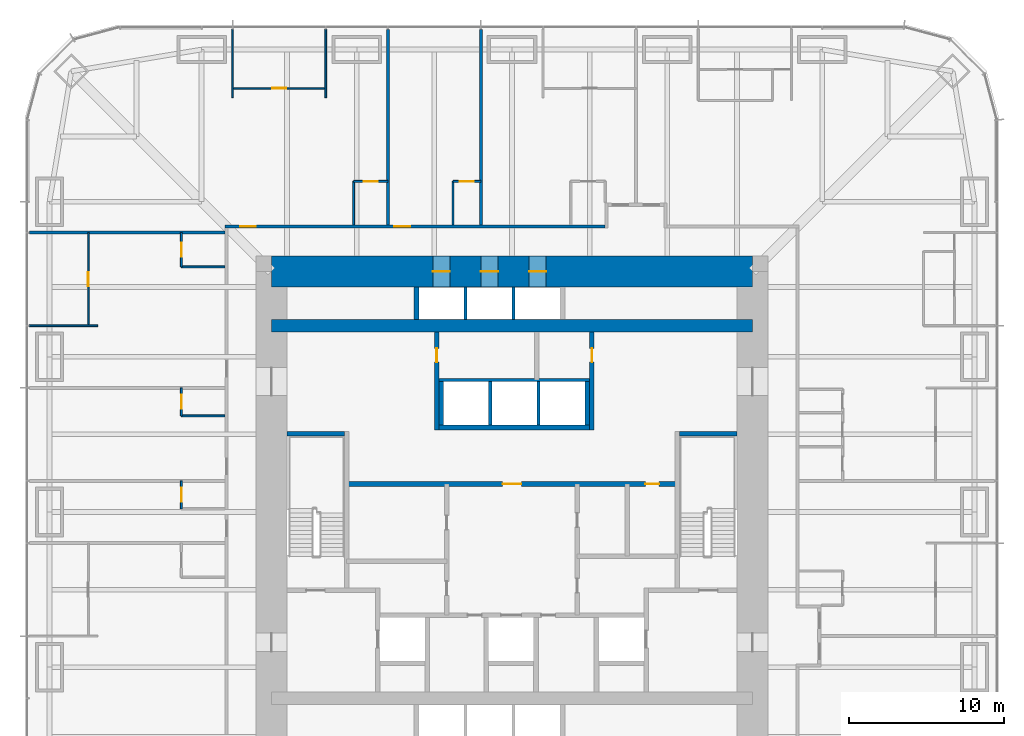
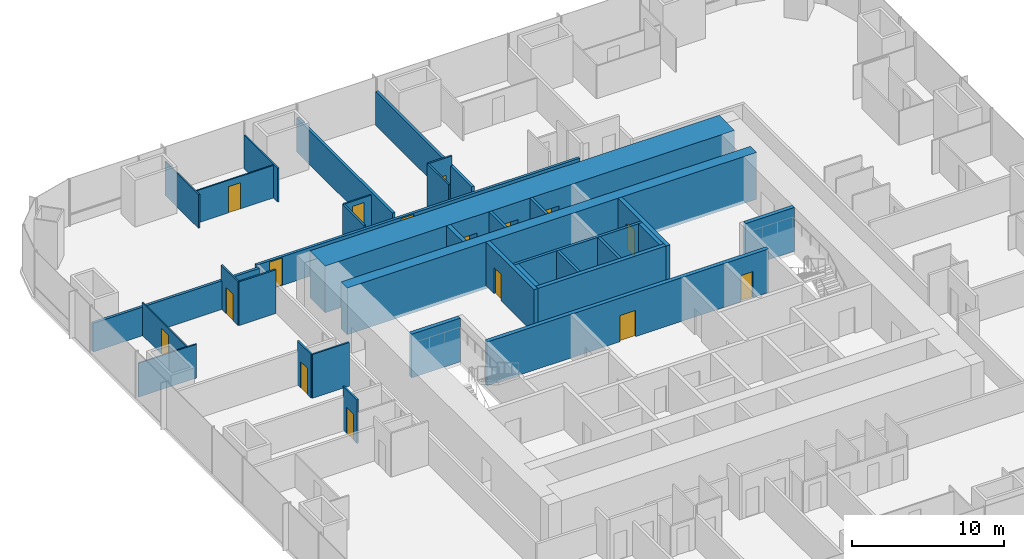
# One storey, part 14 of 16: 34 walls, 16 doors, 16 openings.
"""IFC4 building model written with IfcOpenShell, lengths in metres."""

from ifc_helpers import new_model, si_unit, direction, frame, frame_2d, origin, place, context, subcontext, project, spatial, rectangle, extrude, material, layer, layer_set, type_object, element, fill, save


model = new_model("IFC4")

# Units and contexts
model_context = context("Model", 3, precision=1e-05, world=origin(), true_north=direction((0.0, 1.0)))
body_context = subcontext(model_context, "Body", "Model", "MODEL_VIEW")
ifc_project = project(units=[si_unit("LENGTHUNIT", "METRE"), si_unit("AREAUNIT", "SQUARE_METRE"), si_unit("VOLUMEUNIT", "CUBIC_METRE"), si_unit("PLANEANGLEUNIT", "RADIAN"), si_unit("MASSUNIT", "GRAM", prefix="KILO")], contexts=[model_context])

# Site, building, storey
site_placement = place(None, origin())
site = spatial("IfcSite", under=ifc_project, at=site_placement, CompositionType="ELEMENT")
building_placement = place(site_placement, origin())
building = spatial("IfcBuilding", under=site, at=building_placement, Name="Khuree Lantern Residences", CompositionType="ELEMENT")
storey_placement = place(building_placement, frame((0.0, 0.0, 66.0)))
storey = spatial("IfcBuildingStorey", under=building, at=storey_placement, Name="L16", CompositionType="ELEMENT", Elevation=66.0)

# Wall, opening, door
ifc_material_1 = material(Name="Moisture-resistant gypsum board on steel studs", Category="steel")
ifc_layer_1 = layer(ifc_material_1, 0.125)
ifc_layer_set_1 = layer_set([ifc_layer_1], Name="BATHROOM WALL BTW125")
wall_type_1 = type_object("IfcWallType", Name="BATHROOM WALL BTW125", PredefinedType="PARTITIONING", material=ifc_layer_set_1)
wall_1_placement = place(storey_placement, frame((-2.0, 21.300048828125, 0.0), z_axis=(0.0, 0.0, 1.0), x_axis=(-1.0, 0.0, 0.0)))
wall_1 = element("IfcWall", 1, at=wall_1_placement, inside=storey, type_object=wall_type_1, Name="L16 BATHROOM WALL 04", PredefinedType="PARTITIONING", context=body_context, shape_type="SweptSolid", body=[
    extrude(rectangle(XDim=1.800048828125, YDim=0.125, at=frame_2d((0.89990234375, 0.0))), origin(), (0.0, 0.0, 1.0), 3.5),
])
opening_1_placement = place(wall_1_placement, frame((0.449951171875, 0.0, 0.0)))
opening_1 = element("IfcOpeningElement", 2, at=opening_1_placement, cuts=wall_1, Name="Opening 16-038", PredefinedType="OPENING", context=body_context, shape_type="SweptSolid", body=[
    extrude(rectangle(XDim=0.89990234375, YDim=2.10009765625, at=frame_2d((0.449951171875, 1.050048828125))), frame((0.0, 0.072509765625, 0.0), z_axis=(0.0, -1.0, 0.0), x_axis=(1.0, 0.0, 0.0)), (0.0, 0.0, 1.0), 0.14501953125),
])
ifc_material_2 = material(Name="Timber door leaf in hardwood frame", Category="wood")
door_type_1 = type_object("IfcDoorType", Name="BATHROOM DOOR 900X2100", OperationType="SINGLE_SWING_LEFT", PredefinedType="DOOR", material=ifc_material_2)
door_1_placement = place(opening_1_placement, origin())
door_1 = element("IfcDoor", 3, at=door_1_placement, inside=storey, type_object=door_type_1, Name="Bathroom door 16-038", OperationType="SINGLE_SWING_LEFT", OverallHeight=2.10009765625, OverallWidth=0.89990234375, PredefinedType="DOOR", context=body_context, shape_type="SweptSolid", body=[
    extrude(rectangle(XDim=0.89990234375, YDim=2.10009765625, at=frame_2d((0.449951171875, 1.050048828125))), frame((0.0, 0.02490234375, 0.0), z_axis=(0.0, -1.0, 0.0), x_axis=(1.0, 0.0, 0.0)), (0.0, 0.0, 1.0), 0.050048828125),
])
fill(opening_1, door_1)

# Wall
wall_2_placement = place(storey_placement, frame((-3.800048828125, 18.5, 0.0), z_axis=(0.0, 0.0, 1.0), x_axis=(0.0, 1.0, 0.0)))
element("IfcWall", 4, at=wall_2_placement, inside=storey, type_object=wall_type_1, Name="L16 BATHROOM WALL 04", PredefinedType="PARTITIONING", context=body_context, shape_type="SweptSolid", body=[
    extrude(rectangle(XDim=2.800048828125, YDim=0.125, at=frame_2d((1.39990234375, 0.0))), origin(), (0.0, 0.0, 1.0), 3.5),
])

# Wall, opening, door
wall_3_placement = place(storey_placement, frame((-8.0, 21.300048828125, 0.0), z_axis=(0.0, 0.0, 1.0), x_axis=(-1.0, 0.0, 0.0)))
wall_3 = element("IfcWall", 5, at=wall_3_placement, inside=storey, type_object=wall_type_1, Name="L16 BATHROOM WALL 05", PredefinedType="PARTITIONING", context=body_context, shape_type="SweptSolid", body=[
    extrude(rectangle(XDim=2.199951171875, YDim=0.125, at=frame_2d((1.10009765625, 0.0))), origin(), (0.0, 0.0, 1.0), 2.491943359375),
])
opening_2_placement = place(wall_3_placement, frame((0.64990234375, 0.0, 0.0)))
opening_2 = element("IfcOpeningElement", 6, at=opening_2_placement, cuts=wall_3, Name="Opening 16-041", PredefinedType="OPENING", context=body_context, shape_type="SweptSolid", body=[
    extrude(rectangle(XDim=0.89990234375, YDim=2.10009765625, at=frame_2d((0.449951171875, 1.050048828125))), frame((0.0, 0.072509765625, 0.0), z_axis=(0.0, -1.0, 0.0), x_axis=(1.0, 0.0, 0.0)), (0.0, 0.0, 1.0), 0.14501953125),
])
door_2_placement = place(opening_2_placement, origin())
door_2 = element("IfcDoor", 7, at=door_2_placement, inside=storey, type_object=door_type_1, Name="Bathroom door 16-041", OperationType="SINGLE_SWING_LEFT", OverallHeight=2.10009765625, OverallWidth=0.89990234375, PredefinedType="DOOR", context=body_context, shape_type="SweptSolid", body=[
    extrude(rectangle(XDim=0.89990234375, YDim=2.10009765625, at=frame_2d((0.449951171875, 1.050048828125))), frame((0.0, 0.02490234375, 0.0), z_axis=(0.0, -1.0, 0.0), x_axis=(1.0, 0.0, 0.0)), (0.0, 0.0, 1.0), 0.050048828125),
])
fill(opening_2, door_2)

# Wall
wall_4_placement = place(storey_placement, frame((-10.199951171875, 18.5, 0.0), z_axis=(0.0, 0.0, 1.0), x_axis=(0.0, 1.0, 0.0)))
element("IfcWall", 8, at=wall_4_placement, inside=storey, type_object=wall_type_1, Name="L16 BATHROOM WALL 05", PredefinedType="PARTITIONING", context=body_context, shape_type="SweptSolid", body=[
    extrude(rectangle(XDim=2.800048828125, YDim=0.125, at=frame_2d((1.39990234375, 0.0))), origin(), (0.0, 0.0, 1.0), 2.491943359375),
])

# Wall, opening, door
wall_5_placement = place(storey_placement, frame((-21.300048828125, 18.0, 0.0), z_axis=(0.0, 0.0, 1.0), x_axis=(0.0, -1.0, 0.0)))
wall_5 = element("IfcWall", 9, at=wall_5_placement, inside=storey, type_object=wall_type_1, Name="L16 BATHROOM WALL 06", PredefinedType="PARTITIONING", context=body_context, shape_type="SweptSolid", body=[
    extrude(rectangle(XDim=2.199951171875, YDim=0.125, at=frame_2d((1.10009765625, 0.0))), origin(), (0.0, 0.0, 1.0), 3.5),
])
opening_3_placement = place(wall_5_placement, frame((0.64990234375, 0.0, 0.0)))
opening_3 = element("IfcOpeningElement", 10, at=opening_3_placement, cuts=wall_5, Name="Opening 16-044", PredefinedType="OPENING", context=body_context, shape_type="SweptSolid", body=[
    extrude(rectangle(XDim=0.89990234375, YDim=2.10009765625, at=frame_2d((0.449951171875, 1.050048828125))), frame((0.0, 0.072509765625, 0.0), z_axis=(0.0, -1.0, 0.0), x_axis=(1.0, 0.0, 0.0)), (0.0, 0.0, 1.0), 0.14501953125),
])
door_3_placement = place(opening_3_placement, origin())
door_3 = element("IfcDoor", 11, at=door_3_placement, inside=storey, type_object=door_type_1, Name="Bathroom door 16-044", OperationType="SINGLE_SWING_LEFT", OverallHeight=2.10009765625, OverallWidth=0.89990234375, PredefinedType="DOOR", context=body_context, shape_type="SweptSolid", body=[
    extrude(rectangle(XDim=0.89990234375, YDim=2.10009765625, at=frame_2d((0.449951171875, 1.050048828125))), frame((0.0, 0.02490234375, 0.0), z_axis=(0.0, -1.0, 0.0), x_axis=(1.0, 0.0, 0.0)), (0.0, 0.0, 1.0), 0.050048828125),
])
fill(opening_3, door_3)

# Wall
wall_6_placement = place(storey_placement, frame((-18.5, 15.800048828125, 0.0), z_axis=(0.0, 0.0, 1.0), x_axis=(-1.0, 0.0, 0.0)))
element("IfcWall", 12, at=wall_6_placement, inside=storey, type_object=wall_type_1, Name="L16 BATHROOM WALL 06", PredefinedType="PARTITIONING", context=body_context, shape_type="SweptSolid", body=[
    extrude(rectangle(XDim=2.800048828125, YDim=0.125, at=frame_2d((1.39990234375, 0.0))), origin(), (0.0, 0.0, 1.0), 3.5),
])

# Wall, opening, door
wall_7_placement = place(storey_placement, frame((-21.300048828125, 8.0, 0.0), z_axis=(0.0, 0.0, 1.0), x_axis=(0.0, -1.0, 0.0)))
wall_7 = element("IfcWall", 13, at=wall_7_placement, inside=storey, type_object=wall_type_1, Name="L16 BATHROOM WALL 07", PredefinedType="PARTITIONING", context=body_context, shape_type="SweptSolid", body=[
    extrude(rectangle(XDim=1.800048828125, YDim=0.125, at=frame_2d((0.89990234375, 0.0))), origin(), (0.0, 0.0, 1.0), 3.5),
])
opening_4_placement = place(wall_7_placement, frame((0.449951171875, 0.0, 0.0)))
opening_4 = element("IfcOpeningElement", 14, at=opening_4_placement, cuts=wall_7, Name="Opening 16-046", PredefinedType="OPENING", context=body_context, shape_type="SweptSolid", body=[
    extrude(rectangle(XDim=0.89990234375, YDim=2.10009765625, at=frame_2d((0.449951171875, 1.050048828125))), frame((0.0, 0.072509765625, 0.0), z_axis=(0.0, -1.0, 0.0), x_axis=(1.0, 0.0, 0.0)), (0.0, 0.0, 1.0), 0.14501953125),
])
door_4_placement = place(opening_4_placement, origin())
door_4 = element("IfcDoor", 15, at=door_4_placement, inside=storey, type_object=door_type_1, Name="Bathroom door 16-046", OperationType="SINGLE_SWING_LEFT", OverallHeight=2.10009765625, OverallWidth=0.89990234375, PredefinedType="DOOR", context=body_context, shape_type="SweptSolid", body=[
    extrude(rectangle(XDim=0.89990234375, YDim=2.10009765625, at=frame_2d((0.449951171875, 1.050048828125))), frame((0.0, 0.02490234375, 0.0), z_axis=(0.0, -1.0, 0.0), x_axis=(1.0, 0.0, 0.0)), (0.0, 0.0, 1.0), 0.050048828125),
])
fill(opening_4, door_4)

# Wall
wall_8_placement = place(storey_placement, frame((-18.5, 6.199951171875, 0.0), z_axis=(0.0, 0.0, 1.0), x_axis=(-1.0, 0.0, 0.0)))
element("IfcWall", 16, at=wall_8_placement, inside=storey, type_object=wall_type_1, Name="L16 BATHROOM WALL 07", PredefinedType="PARTITIONING", context=body_context, shape_type="SweptSolid", body=[
    extrude(rectangle(XDim=2.800048828125, YDim=0.125, at=frame_2d((1.39990234375, 0.0))), origin(), (0.0, 0.0, 1.0), 3.5),
])

# Wall, opening, door
wall_9_placement = place(storey_placement, frame((-21.300048828125, 2.0, 0.0), z_axis=(0.0, 0.0, 1.0), x_axis=(0.0, -1.0, 0.0)))
wall_9 = element("IfcWall", 17, at=wall_9_placement, inside=storey, type_object=wall_type_1, Name="L16 BATHROOM WALL 08", PredefinedType="PARTITIONING", context=body_context, shape_type="SweptSolid", body=[
    extrude(rectangle(XDim=1.800048828125, YDim=0.125, at=frame_2d((0.89990234375, 0.0))), origin(), (0.0, 0.0, 1.0), 3.5),
])
opening_5_placement = place(wall_9_placement, frame((0.449951171875, 0.0, 0.0)))
opening_5 = element("IfcOpeningElement", 18, at=opening_5_placement, cuts=wall_9, Name="Opening 16-048", PredefinedType="OPENING", context=body_context, shape_type="SweptSolid", body=[
    extrude(rectangle(XDim=0.89990234375, YDim=2.10009765625, at=frame_2d((0.449951171875, 1.050048828125))), frame((0.0, 0.072509765625, 0.0), z_axis=(0.0, -1.0, 0.0), x_axis=(1.0, 0.0, 0.0)), (0.0, 0.0, 1.0), 0.14501953125),
])
door_5_placement = place(opening_5_placement, origin())
door_5 = element("IfcDoor", 19, at=door_5_placement, inside=storey, type_object=door_type_1, Name="Bathroom door 16-048", OperationType="SINGLE_SWING_LEFT", OverallHeight=2.10009765625, OverallWidth=0.89990234375, PredefinedType="DOOR", context=body_context, shape_type="SweptSolid", body=[
    extrude(rectangle(XDim=0.89990234375, YDim=2.10009765625, at=frame_2d((0.449951171875, 1.050048828125))), frame((0.0, 0.02490234375, 0.0), z_axis=(0.0, -1.0, 0.0), x_axis=(1.0, 0.0, 0.0)), (0.0, 0.0, 1.0), 0.050048828125),
])
fill(opening_5, door_5)

# Walls
ifc_material_3 = material(Name="Dense concrete blockwork", Category="masonry")
ifc_layer_2 = layer(ifc_material_3, 0.300048828125)
ifc_layer_set_2 = layer_set([ifc_layer_2], Name="CORE PARTITION WALL CPW300 EI 120")
wall_type_2 = type_object("IfcWallType", Name="CORE PARTITION WALL CPW300 EI 120", PredefinedType="PARTITIONING", material=ifc_layer_set_2)
wall_10_placement = place(storey_placement, frame((-4.699951171875, 5.449951171875, 0.0), z_axis=(0.0, 0.0, 1.0), x_axis=(1.0, 0.0, 0.0)))
element("IfcWall", 20, at=wall_10_placement, inside=storey, type_object=wall_type_2, Name="L16 CORE WALL PHS", PredefinedType="PARTITIONING", context=body_context, shape_type="SweptSolid", body=[
    extrude(rectangle(XDim=9.699951171875, YDim=0.300048828125, at=frame_2d((4.85009765625, 0.0))), origin(), (0.0, 0.0, 1.0), 3.5),
])
for number, where, z_axis, x_axis, name in (
    (21, (-4.550048828125, 5.60009765625, 0.0), (0.0, 0.0, 1.0), (0.0, 1.0, 0.0), "L16 CORE WALL PHW"),
    (22, (4.85009765625, 5.60009765625, 0.0), (0.0, 0.0, 1.0), (0.0, 1.0, 0.0), "L16 CORE WALL PHE"),
):
    element("IfcWall", number, at=place(storey_placement, frame(where, z_axis=z_axis, x_axis=x_axis)), inside=storey, type_object=wall_type_2, Name=name, PredefinedType="PARTITIONING", context=body_context, shape_type="SweptSolid", body=[
        extrude(rectangle(XDim=2.7998046875, YDim=0.300048828125, at=frame_2d((1.39990234375, 0.0))), origin(), (0.0, 0.0, 1.0), 3.5),
    ])
wall_11_placement = place(storey_placement, frame((-6.14990234375, 12.39990234375, 0.0), z_axis=(0.0, 0.0, 1.0), x_axis=(0.0, 1.0, 0.0)))
element("IfcWall", 23, at=wall_11_placement, inside=storey, type_object=wall_type_2, Name="L16 CORE WALL PLW", PredefinedType="PARTITIONING", context=body_context, shape_type="SweptSolid", body=[
    extrude(rectangle(XDim=2.10009765625, YDim=0.300048828125, at=frame_2d((1.050048828125, 0.0))), origin(), (0.0, 0.0, 1.0), 3.5),
])

# Wall, openings, doors
wall_12_placement = place(storey_placement, frame((-10.64990234375, 1.800048828125, 0.0), z_axis=(0.0, 0.0, 1.0), x_axis=(1.0, 0.0, 0.0)))
wall_12 = element("IfcWall", 24, at=wall_12_placement, inside=storey, type_object=wall_type_2, Name="L16 CORE WALL LLS", PredefinedType="PARTITIONING", context=body_context, shape_type="SweptSolid", body=[
    extrude(rectangle(XDim=21.2998046875, YDim=0.300048828125, at=frame_2d((10.64990234375, 0.0))), origin(), (0.0, 0.0, 1.0), 3.5),
])
opening_6_placement = place(wall_12_placement, frame((10.050048828125, 0.0, 0.0)))
opening_6 = element("IfcOpeningElement", 25, at=opening_6_placement, cuts=wall_12, Name="Opening 16-013", PredefinedType="OPENING", context=body_context, shape_type="SweptSolid", body=[
    extrude(rectangle(XDim=1.199951171875, YDim=2.10009765625, at=frame_2d((0.60009765625, 1.050048828125))), frame((0.0, 0.16015625, 0.0), z_axis=(0.0, -1.0, 0.0), x_axis=(1.0, 0.0, 0.0)), (0.0, 0.0, 1.0), 0.320068359375),
])
opening_7_placement = place(wall_12_placement, frame((19.238037109375, 0.0, 0.0)))
opening_7 = element("IfcOpeningElement", 26, at=opening_7_placement, cuts=wall_12, Name="Opening 16-020", PredefinedType="OPENING", context=body_context, shape_type="SweptSolid", body=[
    extrude(rectangle(XDim=0.89990234375, YDim=2.10009765625, at=frame_2d((0.449951171875, 1.050048828125))), frame((0.0, 0.16015625, 0.0), z_axis=(0.0, -1.0, 0.0), x_axis=(1.0, 0.0, 0.0)), (0.0, 0.0, 1.0), 0.320068359375),
])
ifc_material_4 = material(Name="Steel door leaf in steel frame", Category="steel")
door_type_2 = type_object("IfcDoorType", Name="DOOR 1200X2100 EI 60", OperationType="SINGLE_SWING_LEFT", PredefinedType="DOOR", material=ifc_material_4)
door_6_placement = place(opening_6_placement, origin())
door_6 = element("IfcDoor", 27, at=door_6_placement, inside=storey, type_object=door_type_2, Name="Service lift lobby door 16-013", OperationType="SINGLE_SWING_LEFT", OverallHeight=2.10009765625, OverallWidth=1.199951171875, PredefinedType="DOOR", context=body_context, shape_type="SweptSolid", body=[
    extrude(rectangle(XDim=1.199951171875, YDim=2.10009765625, at=frame_2d((0.60009765625, 1.050048828125))), frame((0.0, 0.02490234375, 0.0), z_axis=(0.0, -1.0, 0.0), x_axis=(1.0, 0.0, 0.0)), (0.0, 0.0, 1.0), 0.050048828125),
])
fill(opening_6, door_6)
door_type_3 = type_object("IfcDoorType", Name="DOOR 900X2100 RIGHT HAND", OperationType="SINGLE_SWING_RIGHT", PredefinedType="DOOR", material=ifc_material_2)
door_7_placement = place(opening_7_placement, origin())
door_7 = element("IfcDoor", 28, at=door_7_placement, inside=storey, type_object=door_type_3, Name="Refuse holding room door 16-020", OperationType="SINGLE_SWING_RIGHT", OverallHeight=2.10009765625, OverallWidth=0.89990234375, PredefinedType="DOOR", context=body_context, shape_type="SweptSolid", body=[
    extrude(rectangle(XDim=0.89990234375, YDim=2.10009765625, at=frame_2d((0.449951171875, 1.050048828125))), frame((0.0, 0.02490234375, 0.0), z_axis=(0.0, -1.0, 0.0), x_axis=(1.0, 0.0, 0.0)), (0.0, 0.0, 1.0), 0.050048828125),
])
fill(opening_7, door_7)

# Wall, opening, door
wall_13_placement = place(storey_placement, frame((-4.85009765625, 5.300048828125, 0.0), z_axis=(0.0, 0.0, 1.0), x_axis=(0.0, 1.0, 0.0)))
wall_13 = element("IfcWall", 29, at=wall_13_placement, inside=storey, type_object=wall_type_2, Name="L16 CORE WALL NW", PredefinedType="PARTITIONING", context=body_context, shape_type="SweptSolid", body=[
    extrude(rectangle(XDim=6.300048828125, YDim=0.300048828125, at=frame_2d((3.14990234375, 0.0))), origin(), (0.0, 0.0, 1.0), 3.5),
])
opening_8_placement = place(wall_13_placement, frame((4.35009765625, 0.0, 0.0)))
opening_8 = element("IfcOpeningElement", 30, at=opening_8_placement, cuts=wall_13, Name="Opening 16-021", PredefinedType="OPENING", context=body_context, shape_type="SweptSolid", body=[
    extrude(rectangle(XDim=0.89990234375, YDim=2.10009765625, at=frame_2d((0.449951171875, 1.050048828125))), frame((0.0, 0.16015625, 0.0), z_axis=(0.0, -1.0, 0.0), x_axis=(1.0, 0.0, 0.0)), (0.0, 0.0, 1.0), 0.320068359375),
])
door_8_placement = place(opening_8_placement, origin())
door_8 = element("IfcDoor", 31, at=door_8_placement, inside=storey, type_object=door_type_3, Name="Bulky waste store door 16-021", OperationType="SINGLE_SWING_RIGHT", OverallHeight=2.10009765625, OverallWidth=0.89990234375, PredefinedType="DOOR", context=body_context, shape_type="SweptSolid", body=[
    extrude(rectangle(XDim=0.89990234375, YDim=2.10009765625, at=frame_2d((0.449951171875, 1.050048828125))), frame((0.0, 0.02490234375, 0.0), z_axis=(0.0, -1.0, 0.0), x_axis=(1.0, 0.0, 0.0)), (0.0, 0.0, 1.0), 0.050048828125),
])
fill(opening_8, door_8)

wall_14_placement = place(storey_placement, frame((5.14990234375, 5.300048828125, 0.0), z_axis=(0.0, 0.0, 1.0), x_axis=(0.0, 1.0, 0.0)))
wall_14 = element("IfcWall", 32, at=wall_14_placement, inside=storey, type_object=wall_type_2, Name="L16 CORE WALL NE", PredefinedType="PARTITIONING", context=body_context, shape_type="SweptSolid", body=[
    extrude(rectangle(XDim=6.300048828125, YDim=0.300048828125, at=frame_2d((3.14990234375, 0.0))), origin(), (0.0, 0.0, 1.0), 3.5),
])
opening_9_placement = place(wall_14_placement, frame((4.35009765625, 0.0, 0.0)))
opening_9 = element("IfcOpeningElement", 33, at=opening_9_placement, cuts=wall_14, Name="Opening 16-022", PredefinedType="OPENING", context=body_context, shape_type="SweptSolid", body=[
    extrude(rectangle(XDim=0.89990234375, YDim=2.10009765625, at=frame_2d((0.449951171875, 1.050048828125))), frame((0.0, 0.16015625, 0.0), z_axis=(0.0, -1.0, 0.0), x_axis=(1.0, 0.0, 0.0)), (0.0, 0.0, 1.0), 0.320068359375),
])
door_type_4 = type_object("IfcDoorType", Name="DOOR 900X2100", OperationType="SINGLE_SWING_LEFT", PredefinedType="DOOR", material=ifc_material_2)
door_9_placement = place(opening_9_placement, origin())
door_9 = element("IfcDoor", 34, at=door_9_placement, inside=storey, type_object=door_type_4, Name="Comms room door 16-022", OperationType="SINGLE_SWING_LEFT", OverallHeight=2.10009765625, OverallWidth=0.89990234375, PredefinedType="DOOR", context=body_context, shape_type="SweptSolid", body=[
    extrude(rectangle(XDim=0.89990234375, YDim=2.10009765625, at=frame_2d((0.449951171875, 1.050048828125))), frame((0.0, 0.02490234375, 0.0), z_axis=(0.0, -1.0, 0.0), x_axis=(1.0, 0.0, 0.0)), (0.0, 0.0, 1.0), 0.050048828125),
])
fill(opening_9, door_9)

# Wall, openings, doors
ifc_material_5 = material(Name="Gypsum board on steel studs", Category="steel")
ifc_layer_3 = layer(ifc_material_5, 0.199951171875)
ifc_layer_set_3 = layer_set([ifc_layer_3], Name="CORRIDOR WALL CRW200 EI 60")
wall_type_3 = type_object("IfcWallType", Name="CORRIDOR WALL CRW200 EI 60", PredefinedType="PARTITIONING", material=ifc_layer_set_3)
wall_15_placement = place(storey_placement, frame((-18.5, 18.39990234375, 0.0), z_axis=(0.0, 0.0, 1.0), x_axis=(1.0, 0.0, 0.0)))
wall_15 = element("IfcWall", 35, at=wall_15_placement, inside=storey, type_object=wall_type_3, Name="L16 CORRIDOR WALL NORTH 1", PredefinedType="PARTITIONING", context=body_context, shape_type="SweptSolid", body=[
    extrude(rectangle(XDim=24.5, YDim=0.199951171875, at=frame_2d((12.25, 0.0))), origin(), (0.0, 0.0, 1.0), 2.300048828125),
])
opening_10_placement = place(wall_15_placement, frame((10.929931640625, 0.0, 0.0)))
opening_10 = element("IfcOpeningElement", 36, at=opening_10_placement, cuts=wall_15, Name="Opening 16-039", PredefinedType="OPENING", context=body_context, shape_type="SweptSolid", body=[
    extrude(rectangle(XDim=1.0, YDim=2.199951171875, at=frame_2d((0.5, 1.10009765625))), frame((0.0, 0.10986328125, 0.0), z_axis=(0.0, -1.0, 0.0), x_axis=(1.0, 0.0, 0.0)), (0.0, 0.0, 1.0), 0.219970703125),
])
opening_11_placement = place(wall_15_placement, frame((0.97998046875, 0.0, 0.0)))
opening_11 = element("IfcOpeningElement", 37, at=opening_11_placement, cuts=wall_15, Name="Opening 16-042", PredefinedType="OPENING", context=body_context, shape_type="SweptSolid", body=[
    extrude(rectangle(XDim=1.0, YDim=2.199951171875, at=frame_2d((0.5, 1.10009765625))), frame((0.0, 0.10986328125, 0.0), z_axis=(0.0, -1.0, 0.0), x_axis=(1.0, 0.0, 0.0)), (0.0, 0.0, 1.0), 0.219970703125),
])
door_type_5 = type_object("IfcDoorType", Name="APARTMENT ENTRANCE DOOR 1000X2200 EI 30S", OperationType="SINGLE_SWING_LEFT", PredefinedType="DOOR", material=ifc_material_2)
door_10_placement = place(opening_10_placement, origin())
door_10 = element("IfcDoor", 38, at=door_10_placement, inside=storey, type_object=door_type_5, Name="Apartment 04 entrance door 16-039", OperationType="SINGLE_SWING_LEFT", OverallHeight=2.199951171875, OverallWidth=1.0, PredefinedType="DOOR", context=body_context, shape_type="SweptSolid", body=[
    extrude(rectangle(XDim=1.0, YDim=2.199951171875, at=frame_2d((0.5, 1.10009765625))), frame((0.0, 0.02490234375, 0.0), z_axis=(0.0, -1.0, 0.0), x_axis=(1.0, 0.0, 0.0)), (0.0, 0.0, 1.0), 0.050048828125),
])
fill(opening_10, door_10)
door_11_placement = place(opening_11_placement, origin())
door_11 = element("IfcDoor", 39, at=door_11_placement, inside=storey, type_object=door_type_5, Name="Apartment 05 entrance door 16-042", OperationType="SINGLE_SWING_LEFT", OverallHeight=2.199951171875, OverallWidth=1.0, PredefinedType="DOOR", context=body_context, shape_type="SweptSolid", body=[
    extrude(rectangle(XDim=1.0, YDim=2.199951171875, at=frame_2d((0.5, 1.10009765625))), frame((0.0, 0.02490234375, 0.0), z_axis=(0.0, -1.0, 0.0), x_axis=(1.0, 0.0, 0.0)), (0.0, 0.0, 1.0), 0.050048828125),
])
fill(opening_11, door_11)

ifc_material_6 = material(Name="Concrete C70/85", Category="concrete")
ifc_layer_4 = layer(ifc_material_6, 2.0)
ifc_layer_set_4 = layer_set([ifc_layer_4], Name="CW2000-C70 CORE WALL C70 2000")
wall_type_4 = type_object("IfcWallType", Name="CW2000-C70 CORE WALL C70 2000", PredefinedType="SHEAR", material=ifc_layer_set_4)
wall_16_placement = place(storey_placement, frame((-15.5, 15.5, -0.25), z_axis=(0.0, 0.0, 1.0), x_axis=(1.0, 0.0, 0.0)))
wall_16 = element("IfcWall", 40, at=wall_16_placement, inside=storey, type_object=wall_type_4, Name="Core wall N", PredefinedType="SHEAR", context=body_context, shape_type="SweptSolid", body=[
    extrude(rectangle(XDim=31.0, YDim=2.0, at=frame_2d((15.5, 0.0))), origin(), (0.0, 0.0, 1.0), 3.75),
])
opening_12_placement = place(wall_16_placement, frame((10.39990234375, 0.0, 0.25)))
opening_12 = element("IfcOpeningElement", 41, at=opening_12_placement, cuts=wall_16, Name="Opening 16-009", PredefinedType="OPENING", context=body_context, shape_type="SweptSolid", body=[
    extrude(rectangle(XDim=1.10009765625, YDim=2.10009765625, at=frame_2d((0.550048828125, 1.050048828125))), frame((0.0, 1.010009765625, 0.0), z_axis=(0.0, -1.0, 0.0), x_axis=(1.0, 0.0, 0.0)), (0.0, 0.0, 1.0), 2.02001953125),
])
opening_13_placement = place(wall_16_placement, frame((13.5, 0.0, 0.25)))
opening_13 = element("IfcOpeningElement", 42, at=opening_13_placement, cuts=wall_16, Name="Opening 16-010", PredefinedType="OPENING", context=body_context, shape_type="SweptSolid", body=[
    extrude(rectangle(XDim=1.10009765625, YDim=2.10009765625, at=frame_2d((0.550048828125, 1.050048828125))), frame((0.0, 1.010009765625, 0.0), z_axis=(0.0, -1.0, 0.0), x_axis=(1.0, 0.0, 0.0)), (0.0, 0.0, 1.0), 2.02001953125),
])
opening_14_placement = place(wall_16_placement, frame((16.60009765625, 0.0, 0.25)))
opening_14 = element("IfcOpeningElement", 43, at=opening_14_placement, cuts=wall_16, Name="Opening 16-011", PredefinedType="OPENING", context=body_context, shape_type="SweptSolid", body=[
    extrude(rectangle(XDim=1.10009765625, YDim=2.10009765625, at=frame_2d((0.550048828125, 1.050048828125))), frame((0.0, 1.010009765625, 0.0), z_axis=(0.0, -1.0, 0.0), x_axis=(1.0, 0.0, 0.0)), (0.0, 0.0, 1.0), 2.02001953125),
])
ifc_material_7 = material(Name="Stainless steel lift landing door", Category="steel")
door_type_6 = type_object("IfcDoorType", Name="LIFT LANDING DOOR 1100X2100 E 60", OperationType="DOUBLE_DOOR_SLIDING", PredefinedType="DOOR", material=ifc_material_7)
door_12_placement = place(opening_12_placement, origin())
door_12 = element("IfcDoor", 44, at=door_12_placement, inside=storey, type_object=door_type_6, Name="Landing door PL1 16-009", OperationType="DOUBLE_DOOR_SLIDING", OverallHeight=2.10009765625, OverallWidth=1.10009765625, PredefinedType="DOOR", context=body_context, shape_type="SweptSolid", body=[
    extrude(rectangle(XDim=1.10009765625, YDim=2.10009765625, at=frame_2d((0.550048828125, 1.050048828125))), frame((0.0, 0.02490234375, 0.0), z_axis=(0.0, -1.0, 0.0), x_axis=(1.0, 0.0, 0.0)), (0.0, 0.0, 1.0), 0.050048828125),
])
fill(opening_12, door_12)
door_13_placement = place(opening_13_placement, origin())
door_13 = element("IfcDoor", 45, at=door_13_placement, inside=storey, type_object=door_type_6, Name="Landing door PL2 16-010", OperationType="DOUBLE_DOOR_SLIDING", OverallHeight=2.10009765625, OverallWidth=1.10009765625, PredefinedType="DOOR", context=body_context, shape_type="SweptSolid", body=[
    extrude(rectangle(XDim=1.10009765625, YDim=2.10009765625, at=frame_2d((0.550048828125, 1.050048828125))), frame((0.0, 0.02490234375, 0.0), z_axis=(0.0, -1.0, 0.0), x_axis=(1.0, 0.0, 0.0)), (0.0, 0.0, 1.0), 0.050048828125),
])
fill(opening_13, door_13)
door_14_placement = place(opening_14_placement, origin())
door_14 = element("IfcDoor", 46, at=door_14_placement, inside=storey, type_object=door_type_6, Name="Landing door PL3 16-011", OperationType="DOUBLE_DOOR_SLIDING", OverallHeight=2.10009765625, OverallWidth=1.10009765625, PredefinedType="DOOR", context=body_context, shape_type="SweptSolid", body=[
    extrude(rectangle(XDim=1.10009765625, YDim=2.10009765625, at=frame_2d((0.550048828125, 1.050048828125))), frame((0.0, 0.02490234375, 0.0), z_axis=(0.0, -1.0, 0.0), x_axis=(1.0, 0.0, 0.0)), (0.0, 0.0, 1.0), 0.050048828125),
])
fill(opening_14, door_14)

# Walls
ifc_layer_5 = layer(ifc_material_5, 0.199951171875)
ifc_layer_set_5 = layer_set([ifc_layer_5], Name="DEMISING WALL DMW200 EI 90")
wall_type_5 = type_object("IfcWallType", Name="DEMISING WALL DMW200 EI 90", PredefinedType="PARTITIONING", material=ifc_layer_set_5)
for number, where, z_axis, x_axis, name in (
    (47, (-2.0, 18.5, 0.0), (0.0, 0.0, 1.0), (0.0, 1.0, 0.0), "L16 DEMISING WALL 04"),
    (48, (-8.0, 18.5, 0.0), (0.0, 0.0, 1.0), (0.0, 1.0, 0.0), "L16 DEMISING WALL 05"),
):
    element("IfcWall", number, at=place(storey_placement, frame(where, z_axis=z_axis, x_axis=x_axis)), inside=storey, type_object=wall_type_5, Name=name, PredefinedType="PARTITIONING", context=body_context, shape_type="SweptSolid", body=[
        extrude(rectangle(XDim=12.60009765625, YDim=0.199951171875, at=frame_2d((6.300048828125, 0.0))), origin(), (0.0, 0.0, 1.0), 2.7099609375),
    ])
wall_17_placement = place(storey_placement, frame((-18.5, 18.0, 0.0), z_axis=(0.0, 0.0, 1.0), x_axis=(-1.0, 0.0, 0.0)))
element("IfcWall", 49, at=wall_17_placement, inside=storey, type_object=wall_type_5, Name="L16 DEMISING WALL 06", PredefinedType="PARTITIONING", context=body_context, shape_type="SweptSolid", body=[
    extrude(rectangle(XDim=12.60009765625, YDim=0.199951171875, at=frame_2d((6.300048828125, 0.0))), origin(), (0.0, 0.0, 1.0), 2.300048828125),
])
ifc_layer_6 = layer(ifc_material_5, 0.10009765625)
ifc_layer_set_6 = layer_set([ifc_layer_6], Name="PARTITION PT100")
wall_type_6 = type_object("IfcWallType", Name="PARTITION PT100", PredefinedType="PARTITIONING", material=ifc_layer_set_6)
for number, where, z_axis, x_axis, name in (
    (50, (-12.0, 26.699951171875, 0.0), (0.0, 0.0, 1.0), (0.0, 1.0, 0.0), "L16 PARTITION 05"),
    (51, (-18.0, 26.699951171875, 0.0), (0.0, 0.0, 1.0), (0.0, 1.0, 0.0), "L16 PARTITION 05"),
    (52, (-26.699951171875, 12.0, 0.0), (0.0, 0.0, 1.0), (-1.0, 0.0, 0.0), "L16 PARTITION 06"),
):
    element("IfcWall", number, at=place(storey_placement, frame(where, z_axis=z_axis, x_axis=x_axis)), inside=storey, type_object=wall_type_6, Name=name, PredefinedType="PARTITIONING", context=body_context, shape_type="SweptSolid", body=[
        extrude(rectangle(XDim=4.400146484375, YDim=0.10009765625, at=frame_2d((2.2001953125, 0.0))), origin(), (0.0, 0.0, 1.0), 2.7099609375),
    ])

# Wall, opening, door
wall_18_placement = place(storey_placement, frame((-12.0, 27.300048828125, 0.0), z_axis=(0.0, 0.0, 1.0), x_axis=(-1.0, 0.0, 0.0)))
wall_18 = element("IfcWall", 53, at=wall_18_placement, inside=storey, type_object=wall_type_6, Name="L16 PARTITION 05", PredefinedType="PARTITIONING", context=body_context, shape_type="SweptSolid", body=[
    extrude(rectangle(XDim=6.0, YDim=0.10009765625, at=frame_2d((3.0, 0.0))), origin(), (0.0, 0.0, 1.0), 2.610107421875),
])
opening_15_placement = place(wall_18_placement, frame((2.550048828125, 0.0, 0.0)))
opening_15 = element("IfcOpeningElement", 54, at=opening_15_placement, cuts=wall_18, Name="Opening 16-040", PredefinedType="OPENING", context=body_context, shape_type="SweptSolid", body=[
    extrude(rectangle(XDim=0.89990234375, YDim=2.10009765625, at=frame_2d((0.449951171875, 1.050048828125))), frame((0.0, 0.06005859375, 0.0), z_axis=(0.0, -1.0, 0.0), x_axis=(1.0, 0.0, 0.0)), (0.0, 0.0, 1.0), 0.1201171875),
])
door_type_7 = type_object("IfcDoorType", Name="BEDROOM DOOR 900X2100", OperationType="SINGLE_SWING_LEFT", PredefinedType="DOOR", material=ifc_material_2)
door_15_placement = place(opening_15_placement, origin())
door_15 = element("IfcDoor", 55, at=door_15_placement, inside=storey, type_object=door_type_7, Name="Bedroom door 16-040", OperationType="SINGLE_SWING_LEFT", OverallHeight=2.10009765625, OverallWidth=0.89990234375, PredefinedType="DOOR", context=body_context, shape_type="SweptSolid", body=[
    extrude(rectangle(XDim=0.89990234375, YDim=2.10009765625, at=frame_2d((0.449951171875, 1.050048828125))), frame((0.0, 0.02490234375, 0.0), z_axis=(0.0, -1.0, 0.0), x_axis=(1.0, 0.0, 0.0)), (0.0, 0.0, 1.0), 0.050048828125),
])
fill(opening_15, door_15)

wall_19_placement = place(storey_placement, frame((-27.300048828125, 18.0, 0.0), z_axis=(0.0, 0.0, 1.0), x_axis=(0.0, -1.0, 0.0)))
wall_19 = element("IfcWall", 56, at=wall_19_placement, inside=storey, type_object=wall_type_6, Name="L16 PARTITION 06", PredefinedType="PARTITIONING", context=body_context, shape_type="SweptSolid", body=[
    extrude(rectangle(XDim=6.0, YDim=0.10009765625, at=frame_2d((3.0, 0.0))), origin(), (0.0, 0.0, 1.0), 2.610107421875),
])
opening_16_placement = place(wall_19_placement, frame((2.550048828125, 0.0, 0.0)))
opening_16 = element("IfcOpeningElement", 57, at=opening_16_placement, cuts=wall_19, Name="Opening 16-043", PredefinedType="OPENING", context=body_context, shape_type="SweptSolid", body=[
    extrude(rectangle(XDim=0.89990234375, YDim=2.10009765625, at=frame_2d((0.449951171875, 1.050048828125))), frame((0.0, 0.06005859375, 0.0), z_axis=(0.0, -1.0, 0.0), x_axis=(1.0, 0.0, 0.0)), (0.0, 0.0, 1.0), 0.1201171875),
])
door_16_placement = place(opening_16_placement, origin())
door_16 = element("IfcDoor", 58, at=door_16_placement, inside=storey, type_object=door_type_7, Name="Bedroom door 16-043", OperationType="SINGLE_SWING_LEFT", OverallHeight=2.10009765625, OverallWidth=0.89990234375, PredefinedType="DOOR", context=body_context, shape_type="SweptSolid", body=[
    extrude(rectangle(XDim=0.89990234375, YDim=2.10009765625, at=frame_2d((0.449951171875, 1.050048828125))), frame((0.0, 0.02490234375, 0.0), z_axis=(0.0, -1.0, 0.0), x_axis=(1.0, 0.0, 0.0)), (0.0, 0.0, 1.0), 0.050048828125),
])
fill(opening_16, door_16)

# Walls
ifc_layer_7 = layer(ifc_material_3, 0.199951171875)
ifc_layer_set_7 = layer_set([ifc_layer_7], Name="SHAFT WALL SHW200 EI 120")
wall_type_7 = type_object("IfcWallType", Name="SHAFT WALL SHW200 EI 120", PredefinedType="PARTITIONING", material=ifc_layer_set_7)
wall_20_placement = place(storey_placement, frame((-4.699951171875, 8.5, 0.0), z_axis=(0.0, 0.0, 1.0), x_axis=(1.0, 0.0, 0.0)))
element("IfcWall", 59, at=wall_20_placement, inside=storey, type_object=wall_type_7, Name="L16 CORE WALL PHN", PredefinedType="PARTITIONING", context=body_context, shape_type="SweptSolid", body=[
    extrude(rectangle(XDim=9.699951171875, YDim=0.199951171875, at=frame_2d((4.85009765625, 0.0))), origin(), (0.0, 0.0, 1.0), 3.5),
])
for number, where, z_axis, x_axis, name in (
    (60, (-1.39990234375, 5.60009765625, 0.0), (0.0, 0.0, 1.0), (0.0, 1.0, 0.0), "L16 CORE WALL PHD1"),
    (61, (1.699951171875, 5.60009765625, 0.0), (0.0, 0.0, 1.0), (0.0, 1.0, 0.0), "L16 CORE WALL PHD2"),
):
    element("IfcWall", number, at=place(storey_placement, frame(where, z_axis=z_axis, x_axis=x_axis)), inside=storey, type_object=wall_type_7, Name=name, PredefinedType="PARTITIONING", context=body_context, shape_type="SweptSolid", body=[
        extrude(rectangle(XDim=2.7998046875, YDim=0.199951171875, at=frame_2d((1.39990234375, 0.0))), origin(), (0.0, 0.0, 1.0), 3.5),
    ])
for number, where, z_axis, x_axis, name in (
    (62, (-3.0, 12.39990234375, 0.0), (0.0, 0.0, 1.0), (0.0, 1.0, 0.0), "L16 CORE WALL PLD1"),
    (63, (0.10009765625, 12.39990234375, 0.0), (0.0, 0.0, 1.0), (0.0, 1.0, 0.0), "L16 CORE WALL PLD2"),
):
    element("IfcWall", number, at=place(storey_placement, frame(where, z_axis=z_axis, x_axis=x_axis)), inside=storey, type_object=wall_type_7, Name=name, PredefinedType="PARTITIONING", context=body_context, shape_type="SweptSolid", body=[
        extrude(rectangle(XDim=2.10009765625, YDim=0.199951171875, at=frame_2d((1.050048828125, 0.0))), origin(), (0.0, 0.0, 1.0), 3.5),
    ])
ifc_layer_8 = layer(ifc_material_6, 0.800048828125)
ifc_layer_set_8 = layer_set([ifc_layer_8], Name="SP800-C70 CORE SPINE WALL C70 800")
wall_type_8 = type_object("IfcWallType", Name="SP800-C70 CORE SPINE WALL C70 800", PredefinedType="SHEAR", material=ifc_layer_set_8)
wall_21_placement = place(storey_placement, frame((-15.5, 12.0, -0.25), z_axis=(0.0, 0.0, 1.0), x_axis=(1.0, 0.0, 0.0)))
element("IfcWall", 64, at=wall_21_placement, inside=storey, type_object=wall_type_8, Name="Core wall SPN", PredefinedType="SHEAR", context=body_context, shape_type="SweptSolid", body=[
    extrude(rectangle(XDim=31.0, YDim=0.800048828125, at=frame_2d((15.5, 0.0))), origin(), (0.0, 0.0, 1.0), 3.75),
])
ifc_material_8 = material(Name="Concrete C50/60", Category="concrete")
ifc_layer_9 = layer(ifc_material_8, 0.300048828125)
ifc_layer_set_9 = layer_set([ifc_layer_9], Name="STAIR WALL SRW300 C50/60 REI 240")
wall_type_9 = type_object("IfcWallType", Name="STAIR WALL SRW300 C50/60 REI 240", PredefinedType="SOLIDWALL", material=ifc_layer_set_9)
for number, where, z_axis, x_axis, name in (
    (65, (-14.5, 5.050048828125, 0.0), (0.0, 0.0, 1.0), (1.0, 0.0, 0.0), "L16 STAIR WALL ST1N"),
    (66, (14.5, 5.050048828125, 0.0), (0.0, 0.0, 1.0), (-1.0, 0.0, 0.0), "L16 STAIR WALL ST2N"),
):
    element("IfcWall", number, at=place(storey_placement, frame(where, z_axis=z_axis, x_axis=x_axis)), inside=storey, type_object=wall_type_9, Name=name, PredefinedType="SOLIDWALL", context=body_context, shape_type="SweptSolid", body=[
        extrude(rectangle(XDim=3.699951171875, YDim=0.300048828125, at=frame_2d((1.85009765625, 0.0))), origin(), (0.0, 0.0, 1.0), 3.5),
    ])

save(model, "model.ifc")
